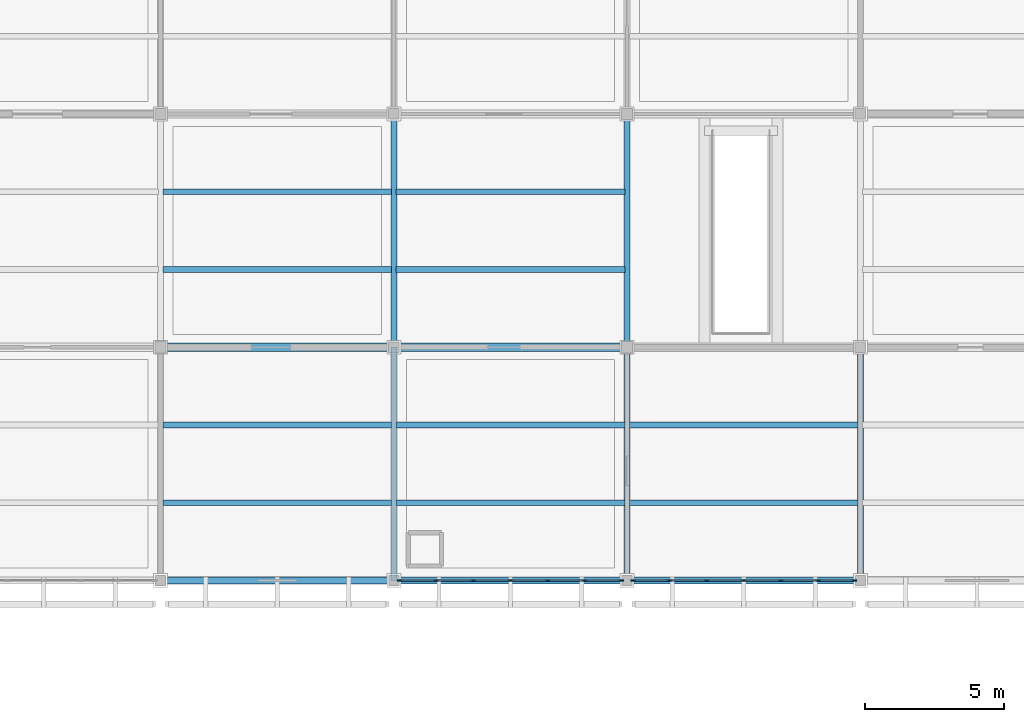
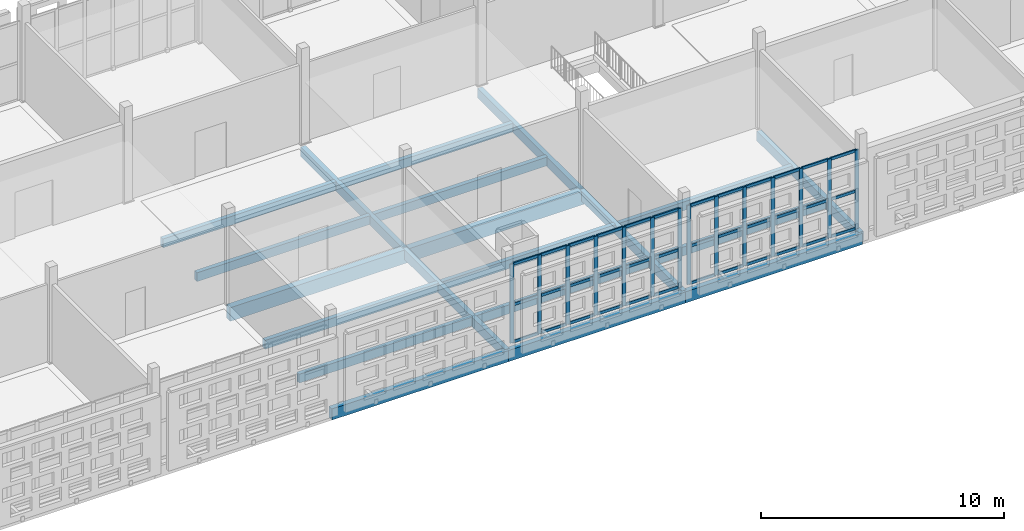
# One storey, part 33 of 203: 50 members, 20 beams, 2 elements without a shape of their own.
"""IFC4 building model written with IfcOpenShell, lengths in metres."""

import ifcopenshell
import ifcopenshell.guid

model = None  # the IFC model being written
_history = None  # IfcOwnerHistory: only IFC2X3 demands one
_inside = {}  # id of a spatial element -> (the spatial element, [elements in it])
_under = {}  # id of a project, library or spatial element -> (it, [spatial elements below it])
_declared = {}  # id of a project -> (the project, [libraries it declares])
_typed = {}  # id of a type object -> (the type object, [elements of that type])
_made_of = {}  # id of a material, layer set ... -> (it, [elements and type objects made of it])


def new_model(schema):
    """Start an empty IFC model of exactly this schema.

    Asked for "IFC4X3", IfcOpenShell would pick the latest addendum, in which some entities
    have other attributes; the version numbers below select the first issue.
    IFC2X3 requires an IfcOwnerHistory on every rooted entity: one is made here for all.
    """
    global model, _history
    if schema == "IFC4X3":
        model = ifcopenshell.file(schema_version=(4, 3, 0, 0))
    else:
        model = ifcopenshell.file(schema=schema)
    _inside.clear()
    _under.clear()
    _declared.clear()
    _typed.clear()
    _made_of.clear()
    _history = None
    if model.schema == "IFC2X3":
        org = make("IfcOrganization", Name="unknown")
        user = make(
            "IfcPersonAndOrganization",
            ThePerson=make("IfcPerson", FamilyName="unknown"),
            TheOrganization=org,
        )
        app = make(
            "IfcApplication",
            ApplicationDeveloper=org,
            Version="unknown",
            ApplicationFullName="unknown",
            ApplicationIdentifier="unknown",
        )
        _history = make(
            "IfcOwnerHistory",
            OwningUser=user,
            OwningApplication=app,
            ChangeAction="ADDED",
            CreationDate=0,
        )
    return model


def make(cls, **values):
    """One entity of the class cls with the attributes given. An attribute that is None is left unset."""
    return model.create_entity(
        cls, **{name: value for name, value in values.items() if value is not None}
    )


def rooted(cls, **values):
    """An entity with a GlobalId (a new one), such as an element, a storey or a relation."""
    return make(cls, GlobalId=ifcopenshell.guid.new(), OwnerHistory=_history, **values)


def si_unit(unit_type, name, prefix=None):
    """IfcSIUnit, for example si_unit("LENGTHUNIT", "METRE", prefix="MILLI")."""
    return make("IfcSIUnit", UnitType=unit_type, Prefix=prefix, Name=name)


def assignment(units):
    """IfcUnitAssignment: the units of a project."""
    return None if units is None else make("IfcUnitAssignment", Units=units)


def point(xyz):
    """IfcCartesianPoint."""
    return None if xyz is None else make("IfcCartesianPoint", Coordinates=xyz)


def direction(xyz):
    """IfcDirection."""
    return None if xyz is None else make("IfcDirection", DirectionRatios=xyz)


def frame(location, z_axis=None, x_axis=None):
    """IfcAxis2Placement3D, a coordinate frame: its origin and axes. An axis left out is left unset."""
    return make(
        "IfcAxis2Placement3D",
        Location=point(location),
        Axis=direction(z_axis),
        RefDirection=direction(x_axis),
    )


def frame_2d(location, x_axis=None):
    """IfcAxis2Placement2D, a coordinate frame in the plane: its origin and x axis."""
    return make(
        "IfcAxis2Placement2D", Location=point(location), RefDirection=direction(x_axis)
    )


def origin():
    """The frame at (0, 0, 0) with its axes left unset."""
    return frame((0.0, 0.0, 0.0))


def origin_2d():
    """The frame at (0, 0) in the plane with its x axis left unset."""
    return frame_2d((0.0, 0.0))


def place(relative_to, where):
    """IfcLocalPlacement: puts the frame where relative to a parent placement (None: the world)."""
    return make(
        "IfcLocalPlacement", PlacementRelTo=relative_to, RelativePlacement=where
    )


def context(
    kind, dimensions, precision=None, world=None, true_north=None, identifier=None
):
    """IfcGeometricRepresentationContext, for example the 3D "Model" context."""
    return make(
        "IfcGeometricRepresentationContext",
        ContextIdentifier=identifier,
        ContextType=kind,
        CoordinateSpaceDimension=dimensions,
        Precision=precision,
        WorldCoordinateSystem=world,
        TrueNorth=true_north,
    )


def subcontext(parent, identifier, kind, view, scale=None):
    """IfcGeometricRepresentationSubContext, for example "Body" below "Model"."""
    return make(
        "IfcGeometricRepresentationSubContext",
        ContextIdentifier=identifier,
        ContextType=kind,
        ParentContext=parent,
        TargetScale=scale,
        TargetView=view,
    )


def project(units=None, contexts=None):
    """IfcProject with its units and contexts."""
    return rooted(
        "IfcProject",
        Name="project",
        RepresentationContexts=contexts,
        UnitsInContext=assignment(units),
    )


def spatial(cls, under=None, at=None, **own):
    """A site, building, storey or space (cls), placed at a placement, below another one or the project."""
    s = rooted(cls, ObjectPlacement=at, **own)
    if under is not None:
        _under.setdefault(under.id(), (under, []))[1].append(s)
    return s


def profile(cls, at=None, kind="AREA", **sizes):
    """A parametric profile (cls). Its sizes go by their IFC names, for example OverallWidth=200.0."""
    return make(cls, ProfileType=kind, Position=at, **sizes)


def rectangle(**sizes):
    """IfcRectangleProfileDef."""
    return profile("IfcRectangleProfileDef", **sizes)


def extrude(swept, where, along, depth):
    """IfcExtrudedAreaSolid: the profile swept, set in the frame where, extruded along a direction by depth."""
    return make(
        "IfcExtrudedAreaSolid",
        SweptArea=swept,
        Position=where,
        ExtrudedDirection=direction(along),
        Depth=depth,
    )


def shape(context_of_items, identifier, shape_type, items):
    """IfcShapeRepresentation: the items that make up one representation, for example the "Body"."""
    return make(
        "IfcShapeRepresentation",
        ContextOfItems=context_of_items,
        RepresentationIdentifier=identifier,
        RepresentationType=shape_type,
        Items=items,
    )


def material(Name=None, Category=None):
    """IfcMaterial."""
    return make("IfcMaterial", Name=Name, Category=Category)


def layer(
    of_material, thickness, ventilated=None, Name=None, Category=None, Priority=None
):
    """IfcMaterialLayer: one layer of a wall or slab, of a material (None: an air gap)."""
    return make(
        "IfcMaterialLayer",
        Material=of_material,
        LayerThickness=thickness,
        IsVentilated=ventilated,
        Name=Name,
        Category=Category,
        Priority=Priority,
    )


def layer_set(layers, Name=None):
    """IfcMaterialLayerSet."""
    return make("IfcMaterialLayerSet", MaterialLayers=layers, LayerSetName=Name)


def material_profile(
    of_material, cross_section, Name=None, Category=None, Priority=None
):
    """IfcMaterialProfile: a cross section and its material."""
    return make(
        "IfcMaterialProfile",
        Name=Name,
        Material=of_material,
        Profile=cross_section,
        Priority=Priority,
        Category=Category,
    )


def profile_set(profiles, Name=None, composite=None):
    """IfcMaterialProfileSet."""
    return make(
        "IfcMaterialProfileSet",
        Name=Name,
        MaterialProfiles=profiles,
        CompositeProfile=composite,
    )


def made_of(thing, what):
    """Note that an element or type object is made of a material, layer set ...; save() writes the relation."""
    if what is not None:
        _made_of.setdefault(what.id(), (what, []))[1].append(thing)
    return thing


def type_object(cls, material=None, **own):
    """A type object (cls), such as IfcWallType, which elements share."""
    return made_of(rooted(cls, **own), material)


def element(
    cls,
    number,
    at=None,
    inside=None,
    cuts=None,
    type_object=None,
    material=None,
    context=None,
    identifier="Body",
    shape_type=None,
    held_by="IfcProductDefinitionShape",
    body=None,
    shapes=None,
    **own,
):
    """One element of the class cls, such as IfcWall. Its Tag is "e" and its number.

    at: its placement. inside: the storey or other place that contains it. cuts: it is an
    opening in that element (IfcRelVoidsElement). A single representation is given by context,
    identifier, shape_type and body (its items); several are given by shapes. held_by: the class
    of the entity that holds the representations. save() writes the other relations.
    """
    e = rooted(cls, Tag="e%d" % number, ObjectPlacement=at, **own)
    if body is not None:
        shapes = [shape(context, identifier, shape_type, body)]
    if shapes is not None:
        e.Representation = make(held_by, Representations=shapes)
    if inside is not None:
        _inside.setdefault(inside.id(), (inside, []))[1].append(e)
    if cuts is not None:
        rooted(
            "IfcRelVoidsElement", RelatingBuildingElement=cuts, RelatedOpeningElement=e
        )
    if type_object is not None:
        _typed.setdefault(type_object.id(), (type_object, []))[1].append(e)
    return made_of(e, material)


def aggregate(whole, parts):
    """IfcRelAggregates: a whole, such as a stair, and the parts it consists of."""
    return rooted("IfcRelAggregates", RelatingObject=whole, RelatedObjects=parts)


def save(model, path):
    """Write the relations noted so far, then the file.

    IfcRelAggregates (storeys below a building ...), IfcRelContainedInSpatialStructure (elements
    in a storey), IfcRelDefinesByType, IfcRelAssociatesMaterial and IfcRelDeclares: one each for
    every whole, place, type object, material and project.
    """
    for whole, parts in _under.values():
        aggregate(whole, parts)
    for where, things in _inside.values():
        rooted(
            "IfcRelContainedInSpatialStructure",
            RelatedElements=things,
            RelatingStructure=where,
        )
    for kind, things in _typed.values():
        rooted("IfcRelDefinesByType", RelatedObjects=things, RelatingType=kind)
    for what, things in _made_of.values():
        rooted("IfcRelAssociatesMaterial", RelatedObjects=things, RelatingMaterial=what)
    for by, libraries in _declared.values():
        rooted("IfcRelDeclares", RelatingContext=by, RelatedDefinitions=libraries)
    model.write(path)


model = new_model("IFC4")

# Units and contexts
model_context = context("Model", 3, precision=1e-05, world=origin(), true_north=direction((0.0, 1.0)))
body_context = subcontext(model_context, "Body", "Model", "MODEL_VIEW")
ifc_project = project(units=[si_unit("LENGTHUNIT", "METRE"), si_unit("AREAUNIT", "SQUARE_METRE"), si_unit("VOLUMEUNIT", "CUBIC_METRE"), si_unit("PLANEANGLEUNIT", "RADIAN"), si_unit("MASSUNIT", "GRAM", prefix="KILO")], contexts=[model_context])

# Site, building, storey
site_placement = place(None, origin())
site = spatial("IfcSite", under=ifc_project, at=site_placement, CompositionType="ELEMENT")
building_placement = place(site_placement, origin())
building = spatial("IfcBuilding", under=site, at=building_placement, Name="Varnapada Polytechnic", CompositionType="ELEMENT")
storey_placement = place(building_placement, frame((0.0, 0.0, 4.800048828125)))
storey = spatial("IfcBuildingStorey", under=building, at=storey_placement, Name="L01", CompositionType="ELEMENT", Elevation=4.800048828125)

# Beams
ifc_material_1 = material(Name="Glulam GL32h", Category="wood")
ifc_material_profile_1 = material_profile(ifc_material_1, rectangle(XDim=0.199951171875, YDim=0.43994140625, at=origin_2d()), Name="GL 200x440")
ifc_profile_set_1 = profile_set([ifc_material_profile_1], Name="Glulam GL32h")
beam_type_1 = type_object("IfcBeamType", Name="Heavy laboratory glulam joist GJ-03 (GL 200x440)", PredefinedType="JOIST", material=ifc_profile_set_1)
for number, where, z_axis, x_axis, name in (
    (1, (92.47998046875, 19.60009765625, -0.469970703125), (1.0, 0.0, 0.0), (0.0, 1.0, 0.0), "L01 floor joist 12/3.1"),
    (2, (92.47998046875, 22.39990234375, -0.469970703125), (1.0, 0.0, 0.0), (0.0, 1.0, 0.0), "L01 floor joist 12/3.2"),
    (3, (92.47998046875, 28.0, -0.469970703125), (1.0, 0.0, 0.0), (0.0, 1.0, 0.0), "L01 floor joist 12/4.1"),
    (4, (92.47998046875, 30.800048828125, -0.469970703125), (1.0, 0.0, 0.0), (0.0, 1.0, 0.0), "L01 floor joist 12/4.2"),
):
    element("IfcBeam", number, at=place(storey_placement, frame(where, z_axis=z_axis, x_axis=x_axis)), inside=storey, type_object=beam_type_1, Name=name, PredefinedType="JOIST", context=body_context, shape_type="SweptSolid", body=[
        extrude(rectangle(XDim=0.199951171875, YDim=0.43994140625, at=origin_2d()), origin(), (0.0, 0.0, 1.0), 8.239990234375),
    ])
for number, where, z_axis, x_axis, name in (
    (5, (100.8798828125, 19.60009765625, -0.469970703125), (1.0, 0.0, 0.0), (0.0, 1.0, 0.0), "L01 floor joist 13/3.1"),
    (6, (100.8798828125, 22.39990234375, -0.469970703125), (1.0, 0.0, 0.0), (0.0, 1.0, 0.0), "L01 floor joist 13/3.2"),
    (7, (100.8798828125, 28.0, -0.469970703125), (1.0, 0.0, 0.0), (0.0, 1.0, 0.0), "L01 floor joist 13/4.1"),
    (8, (100.8798828125, 30.800048828125, -0.469970703125), (1.0, 0.0, 0.0), (0.0, 1.0, 0.0), "L01 floor joist 13/4.2"),
):
    element("IfcBeam", number, at=place(storey_placement, frame(where, z_axis=z_axis, x_axis=x_axis)), inside=storey, type_object=beam_type_1, Name=name, PredefinedType="JOIST", context=body_context, shape_type="SweptSolid", body=[
        extrude(rectangle(XDim=0.199951171875, YDim=0.43994140625, at=origin_2d()), origin(), (0.0, 0.0, 1.0), 8.240234375),
    ])
for number, where, z_axis, x_axis, name in (
    (9, (109.280029296875, 19.60009765625, -0.469970703125), (1.0, 0.0, 0.0), (0.0, 1.0, 0.0), "L01 floor joist 14/3.1"),
    (10, (109.280029296875, 22.39990234375, -0.469970703125), (1.0, 0.0, 0.0), (0.0, 1.0, 0.0), "L01 floor joist 14/3.2"),
):
    element("IfcBeam", number, at=place(storey_placement, frame(where, z_axis=z_axis, x_axis=x_axis)), inside=storey, type_object=beam_type_1, Name=name, PredefinedType="JOIST", context=body_context, shape_type="SweptSolid", body=[
        extrude(rectangle(XDim=0.199951171875, YDim=0.43994140625, at=origin_2d()), origin(), (0.0, 0.0, 1.0), 8.239990234375),
    ])

# Curtain wall, members
ifc_material_2 = material(Name="Double low-E laminated glass", Category="glass")
ifc_layer = layer(ifc_material_2, 0.179931640625)
ifc_layer_set = layer_set([ifc_layer], Name="Double low-E laminated glass")
curtain_wall_type = type_object("IfcCurtainWallType", Name="Curtain Wall CW-04", PredefinedType="NOTDEFINED", material=ifc_layer_set)
curtain_wall_1_placement = place(storey_placement, origin())
curtain_wall_1 = element("IfcCurtainWall", 11, at=curtain_wall_1_placement, inside=storey, type_object=curtain_wall_type, Name="L01 unitised curtain wall CW-04 (78)", PredefinedType="NOTDEFINED")
ifc_material_3 = material(Name="Anodised aluminium", Category="aluminium")
ifc_material_profile_2 = material_profile(ifc_material_3, rectangle(XDim=0.06494140625, YDim=0.179931640625, at=origin_2d()), Name="ALU M65x180")
ifc_profile_set_2 = profile_set([ifc_material_profile_2], Name="Anodised aluminium")
member_type_1 = type_object("IfcMemberType", Name="Mullion M-02", PredefinedType="MULLION", material=ifc_profile_set_2)
member_1_placement = place(storey_placement, frame((108.987548828125, 16.800048828125, 0.0), z_axis=(0.0, 0.0, 1.0), x_axis=(0.0, -1.0, 0.0)))
member_1 = element("IfcMember", 12, at=member_1_placement, type_object=member_type_1, Name="CW-04 mullion 1", PredefinedType="MULLION", context=body_context, shape_type="SweptSolid", body=[
    extrude(rectangle(XDim=0.06494140625, YDim=0.179931640625, at=origin_2d()), origin(), (0.0, 0.0, 1.0), 3.9599609375),
])
member_2_placement = place(storey_placement, frame((107.679931640625, 16.800048828125, 0.0), z_axis=(0.0, 0.0, 1.0), x_axis=(0.0, -1.0, 0.0)))
member_2 = element("IfcMember", 13, at=member_2_placement, type_object=member_type_1, Name="CW-04 mullion 2", PredefinedType="MULLION", context=body_context, shape_type="SweptSolid", body=[
    extrude(rectangle(XDim=0.06494140625, YDim=0.179931640625, at=origin_2d()), origin(), (0.0, 0.0, 1.0), 3.9599609375),
])
member_3_placement = place(storey_placement, frame((106.340087890625, 16.800048828125, 0.0), z_axis=(0.0, 0.0, 1.0), x_axis=(0.0, -1.0, 0.0)))
member_3 = element("IfcMember", 14, at=member_3_placement, type_object=member_type_1, Name="CW-04 mullion 3", PredefinedType="MULLION", context=body_context, shape_type="SweptSolid", body=[
    extrude(rectangle(XDim=0.06494140625, YDim=0.179931640625, at=origin_2d()), origin(), (0.0, 0.0, 1.0), 3.9599609375),
])
member_4_placement = place(storey_placement, frame((105.0, 16.800048828125, 0.0), z_axis=(0.0, 0.0, 1.0), x_axis=(0.0, -1.0, 0.0)))
member_4 = element("IfcMember", 15, at=member_4_placement, type_object=member_type_1, Name="CW-04 mullion 4", PredefinedType="MULLION", context=body_context, shape_type="SweptSolid", body=[
    extrude(rectangle(XDim=0.06494140625, YDim=0.179931640625, at=origin_2d()), origin(), (0.0, 0.0, 1.0), 3.9599609375),
])
member_5_placement = place(storey_placement, frame((103.659912109375, 16.800048828125, 0.0), z_axis=(0.0, 0.0, 1.0), x_axis=(0.0, -1.0, 0.0)))
member_5 = element("IfcMember", 16, at=member_5_placement, type_object=member_type_1, Name="CW-04 mullion 5", PredefinedType="MULLION", context=body_context, shape_type="SweptSolid", body=[
    extrude(rectangle(XDim=0.06494140625, YDim=0.179931640625, at=origin_2d()), origin(), (0.0, 0.0, 1.0), 3.9599609375),
])
member_6_placement = place(storey_placement, frame((102.320068359375, 16.800048828125, 0.0), z_axis=(0.0, 0.0, 1.0), x_axis=(0.0, -1.0, 0.0)))
member_6 = element("IfcMember", 17, at=member_6_placement, type_object=member_type_1, Name="CW-04 mullion 6", PredefinedType="MULLION", context=body_context, shape_type="SweptSolid", body=[
    extrude(rectangle(XDim=0.06494140625, YDim=0.179931640625, at=origin_2d()), origin(), (0.0, 0.0, 1.0), 3.9599609375),
])
member_7_placement = place(storey_placement, frame((101.012451171875, 16.800048828125, 0.0), z_axis=(0.0, 0.0, 1.0), x_axis=(0.0, -1.0, 0.0)))
member_7 = element("IfcMember", 18, at=member_7_placement, type_object=member_type_1, Name="CW-04 mullion 7", PredefinedType="MULLION", context=body_context, shape_type="SweptSolid", body=[
    extrude(rectangle(XDim=0.06494140625, YDim=0.179931640625, at=origin_2d()), origin(), (0.0, 0.0, 1.0), 3.9599609375),
])

curtain_wall_2_placement = place(storey_placement, origin())
curtain_wall_2 = element("IfcCurtainWall", 19, at=curtain_wall_2_placement, inside=storey, type_object=curtain_wall_type, Name="L01 unitised curtain wall CW-04 (83)", PredefinedType="NOTDEFINED")
member_8_placement = place(storey_placement, frame((117.387451171875, 16.800048828125, 0.0), z_axis=(0.0, 0.0, 1.0), x_axis=(0.0, -1.0, 0.0)))
member_8 = element("IfcMember", 20, at=member_8_placement, type_object=member_type_1, Name="CW-04 mullion 1", PredefinedType="MULLION", context=body_context, shape_type="SweptSolid", body=[
    extrude(rectangle(XDim=0.06494140625, YDim=0.179931640625, at=origin_2d()), origin(), (0.0, 0.0, 1.0), 3.9599609375),
])
member_9_placement = place(storey_placement, frame((116.080078125, 16.800048828125, 0.0), z_axis=(0.0, 0.0, 1.0), x_axis=(0.0, -1.0, 0.0)))
member_9 = element("IfcMember", 21, at=member_9_placement, type_object=member_type_1, Name="CW-04 mullion 2", PredefinedType="MULLION", context=body_context, shape_type="SweptSolid", body=[
    extrude(rectangle(XDim=0.06494140625, YDim=0.179931640625, at=origin_2d()), origin(), (0.0, 0.0, 1.0), 3.9599609375),
])
member_10_placement = place(storey_placement, frame((114.739990234375, 16.800048828125, 0.0), z_axis=(0.0, 0.0, 1.0), x_axis=(0.0, -1.0, 0.0)))
member_10 = element("IfcMember", 22, at=member_10_placement, type_object=member_type_1, Name="CW-04 mullion 3", PredefinedType="MULLION", context=body_context, shape_type="SweptSolid", body=[
    extrude(rectangle(XDim=0.06494140625, YDim=0.179931640625, at=origin_2d()), origin(), (0.0, 0.0, 1.0), 3.9599609375),
])
member_11_placement = place(storey_placement, frame((113.39990234375, 16.800048828125, 0.0), z_axis=(0.0, 0.0, 1.0), x_axis=(0.0, -1.0, 0.0)))
member_11 = element("IfcMember", 23, at=member_11_placement, type_object=member_type_1, Name="CW-04 mullion 4", PredefinedType="MULLION", context=body_context, shape_type="SweptSolid", body=[
    extrude(rectangle(XDim=0.06494140625, YDim=0.179931640625, at=origin_2d()), origin(), (0.0, 0.0, 1.0), 3.9599609375),
])
member_12_placement = place(storey_placement, frame((112.06005859375, 16.800048828125, 0.0), z_axis=(0.0, 0.0, 1.0), x_axis=(0.0, -1.0, 0.0)))
member_12 = element("IfcMember", 24, at=member_12_placement, type_object=member_type_1, Name="CW-04 mullion 5", PredefinedType="MULLION", context=body_context, shape_type="SweptSolid", body=[
    extrude(rectangle(XDim=0.06494140625, YDim=0.179931640625, at=origin_2d()), origin(), (0.0, 0.0, 1.0), 3.9599609375),
])
member_13_placement = place(storey_placement, frame((110.719970703125, 16.800048828125, 0.0), z_axis=(0.0, 0.0, 1.0), x_axis=(0.0, -1.0, 0.0)))
member_13 = element("IfcMember", 25, at=member_13_placement, type_object=member_type_1, Name="CW-04 mullion 6", PredefinedType="MULLION", context=body_context, shape_type="SweptSolid", body=[
    extrude(rectangle(XDim=0.06494140625, YDim=0.179931640625, at=origin_2d()), origin(), (0.0, 0.0, 1.0), 3.9599609375),
])
member_14_placement = place(storey_placement, frame((109.41259765625, 16.800048828125, 0.0), z_axis=(0.0, 0.0, 1.0), x_axis=(0.0, -1.0, 0.0)))
member_14 = element("IfcMember", 26, at=member_14_placement, type_object=member_type_1, Name="CW-04 mullion 7", PredefinedType="MULLION", context=body_context, shape_type="SweptSolid", body=[
    extrude(rectangle(XDim=0.06494140625, YDim=0.179931640625, at=origin_2d()), origin(), (0.0, 0.0, 1.0), 3.9599609375),
])

# Beams
ifc_material_profile_3 = material_profile(ifc_material_1, rectangle(XDim=0.239990234375, YDim=0.56005859375, at=origin_2d()), Name="GL 240x560")
ifc_profile_set_3 = profile_set([ifc_material_profile_3], Name="Glulam GL32h")
beam_type_2 = type_object("IfcBeamType", Name="Perimeter glulam spandrel beam SP-02 (GL 240x560)", PredefinedType="SPANDREL", material=ifc_profile_set_3)
beam_1_placement = place(storey_placement, frame((92.39990234375, 16.800048828125, -0.530029296875), z_axis=(1.0, 0.0, 0.0), x_axis=(0.0, 1.0, 0.0)))
element("IfcBeam", 27, at=beam_1_placement, inside=storey, type_object=beam_type_2, Name="L01 beam X 12-13 at Y3", PredefinedType="SPANDREL", context=body_context, shape_type="SweptSolid", body=[
    extrude(rectangle(XDim=0.239990234375, YDim=0.56005859375, at=origin_2d()), origin(), (0.0, 0.0, 1.0), 8.400146484375),
])
beam_2_placement = place(storey_placement, frame((100.800048828125, 16.800048828125, -0.530029296875), z_axis=(1.0, 0.0, 0.0), x_axis=(0.0, 1.0, 0.0)))
element("IfcBeam", 28, at=beam_2_placement, inside=storey, type_object=beam_type_2, Name="L01 beam X 13-14 at Y3", PredefinedType="SPANDREL", context=body_context, shape_type="SweptSolid", body=[
    extrude(rectangle(XDim=0.239990234375, YDim=0.56005859375, at=origin_2d()), origin(), (0.0, 0.0, 1.0), 8.39990234375),
])
beam_3_placement = place(storey_placement, frame((109.199951171875, 16.800048828125, -0.530029296875), z_axis=(1.0, 0.0, 0.0), x_axis=(0.0, 1.0, 0.0)))
element("IfcBeam", 29, at=beam_3_placement, inside=storey, type_object=beam_type_2, Name="L01 beam X 14-15 at Y3", PredefinedType="SPANDREL", context=body_context, shape_type="SweptSolid", body=[
    extrude(rectangle(XDim=0.239990234375, YDim=0.56005859375, at=origin_2d()), origin(), (0.0, 0.0, 1.0), 8.400146484375),
])

# Member
ifc_material_profile_4 = material_profile(ifc_material_3, rectangle(XDim=0.06494140625, YDim=0.139892578125, at=origin_2d()), Name="ALU T65x140")
ifc_profile_set_4 = profile_set([ifc_material_profile_4], Name="Anodised aluminium")
member_type_2 = type_object("IfcMemberType", Name="Transom T-02", PredefinedType="USERDEFINED", material=ifc_profile_set_4)
member_15_placement = place(storey_placement, frame((108.955078125, 16.800048828125, 0.032470703125), z_axis=(-1.0, 0.0, 0.0), x_axis=(0.0, -1.0, 0.0)))
member_15 = element("IfcMember", 30, at=member_15_placement, type_object=member_type_2, Name="CW-04 transom 1.1", ObjectType="TRANSOM", PredefinedType="USERDEFINED", context=body_context, shape_type="SweptSolid", body=[
    extrude(rectangle(XDim=0.06494140625, YDim=0.139892578125, at=origin_2d()), origin(), (0.0, 0.0, 1.0), 1.24267578125),
])

member_16_placement = place(storey_placement, frame((108.955078125, 16.800048828125, 1.900634765625), z_axis=(-1.0, 0.0, 0.0), x_axis=(0.0, -1.0, 0.0)))
member_16 = element("IfcMember", 31, at=member_16_placement, type_object=member_type_2, Name="CW-04 transom 1.2", ObjectType="TRANSOM", PredefinedType="USERDEFINED", context=body_context, shape_type="SweptSolid", body=[
    extrude(rectangle(XDim=0.06494140625, YDim=0.139892578125, at=origin_2d()), origin(), (0.0, 0.0, 1.0), 1.24267578125),
])

member_17_placement = place(storey_placement, frame((108.955078125, 16.800048828125, 3.927490234375), z_axis=(-1.0, 0.0, 0.0), x_axis=(0.0, -1.0, 0.0)))
member_17 = element("IfcMember", 32, at=member_17_placement, type_object=member_type_2, Name="CW-04 transom 1.3", ObjectType="TRANSOM", PredefinedType="USERDEFINED", context=body_context, shape_type="SweptSolid", body=[
    extrude(rectangle(XDim=0.06494140625, YDim=0.139892578125, at=origin_2d()), origin(), (0.0, 0.0, 1.0), 1.24267578125),
])

member_18_placement = place(storey_placement, frame((107.6474609375, 16.800048828125, 0.032470703125), z_axis=(-1.0, 0.0, 0.0), x_axis=(0.0, -1.0, 0.0)))
member_18 = element("IfcMember", 33, at=member_18_placement, type_object=member_type_2, Name="CW-04 transom 2.1", ObjectType="TRANSOM", PredefinedType="USERDEFINED", context=body_context, shape_type="SweptSolid", body=[
    extrude(rectangle(XDim=0.06494140625, YDim=0.139892578125, at=origin_2d()), origin(), (0.0, 0.0, 1.0), 1.27490234375),
])

member_19_placement = place(storey_placement, frame((107.6474609375, 16.800048828125, 1.900634765625), z_axis=(-1.0, 0.0, 0.0), x_axis=(0.0, -1.0, 0.0)))
member_19 = element("IfcMember", 34, at=member_19_placement, type_object=member_type_2, Name="CW-04 transom 2.2", ObjectType="TRANSOM", PredefinedType="USERDEFINED", context=body_context, shape_type="SweptSolid", body=[
    extrude(rectangle(XDim=0.06494140625, YDim=0.139892578125, at=origin_2d()), origin(), (0.0, 0.0, 1.0), 1.27490234375),
])

member_20_placement = place(storey_placement, frame((107.6474609375, 16.800048828125, 3.927490234375), z_axis=(-1.0, 0.0, 0.0), x_axis=(0.0, -1.0, 0.0)))
member_20 = element("IfcMember", 35, at=member_20_placement, type_object=member_type_2, Name="CW-04 transom 2.3", ObjectType="TRANSOM", PredefinedType="USERDEFINED", context=body_context, shape_type="SweptSolid", body=[
    extrude(rectangle(XDim=0.06494140625, YDim=0.139892578125, at=origin_2d()), origin(), (0.0, 0.0, 1.0), 1.27490234375),
])

member_21_placement = place(storey_placement, frame((106.3076171875, 16.800048828125, 0.032470703125), z_axis=(-1.0, 0.0, 0.0), x_axis=(0.0, -1.0, 0.0)))
member_21 = element("IfcMember", 36, at=member_21_placement, type_object=member_type_2, Name="CW-04 transom 3.1", ObjectType="TRANSOM", PredefinedType="USERDEFINED", context=body_context, shape_type="SweptSolid", body=[
    extrude(rectangle(XDim=0.06494140625, YDim=0.139892578125, at=origin_2d()), origin(), (0.0, 0.0, 1.0), 1.275146484375),
])

member_22_placement = place(storey_placement, frame((106.3076171875, 16.800048828125, 1.900634765625), z_axis=(-1.0, 0.0, 0.0), x_axis=(0.0, -1.0, 0.0)))
member_22 = element("IfcMember", 37, at=member_22_placement, type_object=member_type_2, Name="CW-04 transom 3.2", ObjectType="TRANSOM", PredefinedType="USERDEFINED", context=body_context, shape_type="SweptSolid", body=[
    extrude(rectangle(XDim=0.06494140625, YDim=0.139892578125, at=origin_2d()), origin(), (0.0, 0.0, 1.0), 1.275146484375),
])

member_23_placement = place(storey_placement, frame((106.3076171875, 16.800048828125, 3.927490234375), z_axis=(-1.0, 0.0, 0.0), x_axis=(0.0, -1.0, 0.0)))
member_23 = element("IfcMember", 38, at=member_23_placement, type_object=member_type_2, Name="CW-04 transom 3.3", ObjectType="TRANSOM", PredefinedType="USERDEFINED", context=body_context, shape_type="SweptSolid", body=[
    extrude(rectangle(XDim=0.06494140625, YDim=0.139892578125, at=origin_2d()), origin(), (0.0, 0.0, 1.0), 1.275146484375),
])

member_24_placement = place(storey_placement, frame((104.967529296875, 16.800048828125, 0.032470703125), z_axis=(-1.0, 0.0, 0.0), x_axis=(0.0, -1.0, 0.0)))
member_24 = element("IfcMember", 39, at=member_24_placement, type_object=member_type_2, Name="CW-04 transom 4.1", ObjectType="TRANSOM", PredefinedType="USERDEFINED", context=body_context, shape_type="SweptSolid", body=[
    extrude(rectangle(XDim=0.06494140625, YDim=0.139892578125, at=origin_2d()), origin(), (0.0, 0.0, 1.0), 1.275146484375),
])

member_25_placement = place(storey_placement, frame((104.967529296875, 16.800048828125, 1.900634765625), z_axis=(-1.0, 0.0, 0.0), x_axis=(0.0, -1.0, 0.0)))
member_25 = element("IfcMember", 40, at=member_25_placement, type_object=member_type_2, Name="CW-04 transom 4.2", ObjectType="TRANSOM", PredefinedType="USERDEFINED", context=body_context, shape_type="SweptSolid", body=[
    extrude(rectangle(XDim=0.06494140625, YDim=0.139892578125, at=origin_2d()), origin(), (0.0, 0.0, 1.0), 1.275146484375),
])

member_26_placement = place(storey_placement, frame((104.967529296875, 16.800048828125, 3.927490234375), z_axis=(-1.0, 0.0, 0.0), x_axis=(0.0, -1.0, 0.0)))
member_26 = element("IfcMember", 41, at=member_26_placement, type_object=member_type_2, Name="CW-04 transom 4.3", ObjectType="TRANSOM", PredefinedType="USERDEFINED", context=body_context, shape_type="SweptSolid", body=[
    extrude(rectangle(XDim=0.06494140625, YDim=0.139892578125, at=origin_2d()), origin(), (0.0, 0.0, 1.0), 1.275146484375),
])

member_27_placement = place(storey_placement, frame((103.62744140625, 16.800048828125, 0.032470703125), z_axis=(-1.0, 0.0, 0.0), x_axis=(0.0, -1.0, 0.0)))
member_27 = element("IfcMember", 42, at=member_27_placement, type_object=member_type_2, Name="CW-04 transom 5.1", ObjectType="TRANSOM", PredefinedType="USERDEFINED", context=body_context, shape_type="SweptSolid", body=[
    extrude(rectangle(XDim=0.06494140625, YDim=0.139892578125, at=origin_2d()), origin(), (0.0, 0.0, 1.0), 1.27490234375),
])

member_28_placement = place(storey_placement, frame((103.62744140625, 16.800048828125, 1.900634765625), z_axis=(-1.0, 0.0, 0.0), x_axis=(0.0, -1.0, 0.0)))
member_28 = element("IfcMember", 43, at=member_28_placement, type_object=member_type_2, Name="CW-04 transom 5.2", ObjectType="TRANSOM", PredefinedType="USERDEFINED", context=body_context, shape_type="SweptSolid", body=[
    extrude(rectangle(XDim=0.06494140625, YDim=0.139892578125, at=origin_2d()), origin(), (0.0, 0.0, 1.0), 1.27490234375),
])

member_29_placement = place(storey_placement, frame((103.62744140625, 16.800048828125, 3.927490234375), z_axis=(-1.0, 0.0, 0.0), x_axis=(0.0, -1.0, 0.0)))
member_29 = element("IfcMember", 44, at=member_29_placement, type_object=member_type_2, Name="CW-04 transom 5.3", ObjectType="TRANSOM", PredefinedType="USERDEFINED", context=body_context, shape_type="SweptSolid", body=[
    extrude(rectangle(XDim=0.06494140625, YDim=0.139892578125, at=origin_2d()), origin(), (0.0, 0.0, 1.0), 1.27490234375),
])

member_30_placement = place(storey_placement, frame((102.28759765625, 16.800048828125, 0.032470703125), z_axis=(-1.0, 0.0, 0.0), x_axis=(0.0, -1.0, 0.0)))
member_30 = element("IfcMember", 45, at=member_30_placement, type_object=member_type_2, Name="CW-04 transom 6.1", ObjectType="TRANSOM", PredefinedType="USERDEFINED", context=body_context, shape_type="SweptSolid", body=[
    extrude(rectangle(XDim=0.06494140625, YDim=0.139892578125, at=origin_2d()), origin(), (0.0, 0.0, 1.0), 1.24267578125),
])

member_31_placement = place(storey_placement, frame((102.28759765625, 16.800048828125, 1.900634765625), z_axis=(-1.0, 0.0, 0.0), x_axis=(0.0, -1.0, 0.0)))
member_31 = element("IfcMember", 46, at=member_31_placement, type_object=member_type_2, Name="CW-04 transom 6.2", ObjectType="TRANSOM", PredefinedType="USERDEFINED", context=body_context, shape_type="SweptSolid", body=[
    extrude(rectangle(XDim=0.06494140625, YDim=0.139892578125, at=origin_2d()), origin(), (0.0, 0.0, 1.0), 1.24267578125),
])

member_32_placement = place(storey_placement, frame((102.28759765625, 16.800048828125, 3.927490234375), z_axis=(-1.0, 0.0, 0.0), x_axis=(0.0, -1.0, 0.0)))
member_32 = element("IfcMember", 47, at=member_32_placement, type_object=member_type_2, Name="CW-04 transom 6.3", ObjectType="TRANSOM", PredefinedType="USERDEFINED", context=body_context, shape_type="SweptSolid", body=[
    extrude(rectangle(XDim=0.06494140625, YDim=0.139892578125, at=origin_2d()), origin(), (0.0, 0.0, 1.0), 1.24267578125),
])

aggregate(curtain_wall_1, [member_1, member_2, member_3, member_4, member_5, member_6, member_7, member_15, member_16, member_17, member_18, member_19, member_20, member_21, member_22, member_23, member_24, member_25, member_26, member_27, member_28, member_29, member_30, member_31, member_32])

member_33_placement = place(storey_placement, frame((117.35498046875, 16.800048828125, 0.032470703125), z_axis=(-1.0, 0.0, 0.0), x_axis=(0.0, -1.0, 0.0)))
member_33 = element("IfcMember", 48, at=member_33_placement, type_object=member_type_2, Name="CW-04 transom 1.1", ObjectType="TRANSOM", PredefinedType="USERDEFINED", context=body_context, shape_type="SweptSolid", body=[
    extrude(rectangle(XDim=0.06494140625, YDim=0.139892578125, at=origin_2d()), origin(), (0.0, 0.0, 1.0), 1.242431640625),
])

member_34_placement = place(storey_placement, frame((117.35498046875, 16.800048828125, 1.900634765625), z_axis=(-1.0, 0.0, 0.0), x_axis=(0.0, -1.0, 0.0)))
member_34 = element("IfcMember", 49, at=member_34_placement, type_object=member_type_2, Name="CW-04 transom 1.2", ObjectType="TRANSOM", PredefinedType="USERDEFINED", context=body_context, shape_type="SweptSolid", body=[
    extrude(rectangle(XDim=0.06494140625, YDim=0.139892578125, at=origin_2d()), origin(), (0.0, 0.0, 1.0), 1.242431640625),
])

member_35_placement = place(storey_placement, frame((117.35498046875, 16.800048828125, 3.927490234375), z_axis=(-1.0, 0.0, 0.0), x_axis=(0.0, -1.0, 0.0)))
member_35 = element("IfcMember", 50, at=member_35_placement, type_object=member_type_2, Name="CW-04 transom 1.3", ObjectType="TRANSOM", PredefinedType="USERDEFINED", context=body_context, shape_type="SweptSolid", body=[
    extrude(rectangle(XDim=0.06494140625, YDim=0.139892578125, at=origin_2d()), origin(), (0.0, 0.0, 1.0), 1.242431640625),
])

member_36_placement = place(storey_placement, frame((116.047607421875, 16.800048828125, 0.032470703125), z_axis=(-1.0, 0.0, 0.0), x_axis=(0.0, -1.0, 0.0)))
member_36 = element("IfcMember", 51, at=member_36_placement, type_object=member_type_2, Name="CW-04 transom 2.1", ObjectType="TRANSOM", PredefinedType="USERDEFINED", context=body_context, shape_type="SweptSolid", body=[
    extrude(rectangle(XDim=0.06494140625, YDim=0.139892578125, at=origin_2d()), origin(), (0.0, 0.0, 1.0), 1.275146484375),
])

member_37_placement = place(storey_placement, frame((116.047607421875, 16.800048828125, 1.900634765625), z_axis=(-1.0, 0.0, 0.0), x_axis=(0.0, -1.0, 0.0)))
member_37 = element("IfcMember", 52, at=member_37_placement, type_object=member_type_2, Name="CW-04 transom 2.2", ObjectType="TRANSOM", PredefinedType="USERDEFINED", context=body_context, shape_type="SweptSolid", body=[
    extrude(rectangle(XDim=0.06494140625, YDim=0.139892578125, at=origin_2d()), origin(), (0.0, 0.0, 1.0), 1.275146484375),
])

member_38_placement = place(storey_placement, frame((116.047607421875, 16.800048828125, 3.927490234375), z_axis=(-1.0, 0.0, 0.0), x_axis=(0.0, -1.0, 0.0)))
member_38 = element("IfcMember", 53, at=member_38_placement, type_object=member_type_2, Name="CW-04 transom 2.3", ObjectType="TRANSOM", PredefinedType="USERDEFINED", context=body_context, shape_type="SweptSolid", body=[
    extrude(rectangle(XDim=0.06494140625, YDim=0.139892578125, at=origin_2d()), origin(), (0.0, 0.0, 1.0), 1.275146484375),
])

member_39_placement = place(storey_placement, frame((114.70751953125, 16.800048828125, 0.032470703125), z_axis=(-1.0, 0.0, 0.0), x_axis=(0.0, -1.0, 0.0)))
member_39 = element("IfcMember", 54, at=member_39_placement, type_object=member_type_2, Name="CW-04 transom 3.1", ObjectType="TRANSOM", PredefinedType="USERDEFINED", context=body_context, shape_type="SweptSolid", body=[
    extrude(rectangle(XDim=0.06494140625, YDim=0.139892578125, at=origin_2d()), origin(), (0.0, 0.0, 1.0), 1.27490234375),
])

member_40_placement = place(storey_placement, frame((114.70751953125, 16.800048828125, 1.900634765625), z_axis=(-1.0, 0.0, 0.0), x_axis=(0.0, -1.0, 0.0)))
member_40 = element("IfcMember", 55, at=member_40_placement, type_object=member_type_2, Name="CW-04 transom 3.2", ObjectType="TRANSOM", PredefinedType="USERDEFINED", context=body_context, shape_type="SweptSolid", body=[
    extrude(rectangle(XDim=0.06494140625, YDim=0.139892578125, at=origin_2d()), origin(), (0.0, 0.0, 1.0), 1.27490234375),
])

member_41_placement = place(storey_placement, frame((114.70751953125, 16.800048828125, 3.927490234375), z_axis=(-1.0, 0.0, 0.0), x_axis=(0.0, -1.0, 0.0)))
member_41 = element("IfcMember", 56, at=member_41_placement, type_object=member_type_2, Name="CW-04 transom 3.3", ObjectType="TRANSOM", PredefinedType="USERDEFINED", context=body_context, shape_type="SweptSolid", body=[
    extrude(rectangle(XDim=0.06494140625, YDim=0.139892578125, at=origin_2d()), origin(), (0.0, 0.0, 1.0), 1.27490234375),
])

member_42_placement = place(storey_placement, frame((113.367431640625, 16.800048828125, 0.032470703125), z_axis=(-1.0, 0.0, 0.0), x_axis=(0.0, -1.0, 0.0)))
member_42 = element("IfcMember", 57, at=member_42_placement, type_object=member_type_2, Name="CW-04 transom 4.1", ObjectType="TRANSOM", PredefinedType="USERDEFINED", context=body_context, shape_type="SweptSolid", body=[
    extrude(rectangle(XDim=0.06494140625, YDim=0.139892578125, at=origin_2d()), origin(), (0.0, 0.0, 1.0), 1.27490234375),
])

member_43_placement = place(storey_placement, frame((113.367431640625, 16.800048828125, 1.900634765625), z_axis=(-1.0, 0.0, 0.0), x_axis=(0.0, -1.0, 0.0)))
member_43 = element("IfcMember", 58, at=member_43_placement, type_object=member_type_2, Name="CW-04 transom 4.2", ObjectType="TRANSOM", PredefinedType="USERDEFINED", context=body_context, shape_type="SweptSolid", body=[
    extrude(rectangle(XDim=0.06494140625, YDim=0.139892578125, at=origin_2d()), origin(), (0.0, 0.0, 1.0), 1.27490234375),
])

member_44_placement = place(storey_placement, frame((113.367431640625, 16.800048828125, 3.927490234375), z_axis=(-1.0, 0.0, 0.0), x_axis=(0.0, -1.0, 0.0)))
member_44 = element("IfcMember", 59, at=member_44_placement, type_object=member_type_2, Name="CW-04 transom 4.3", ObjectType="TRANSOM", PredefinedType="USERDEFINED", context=body_context, shape_type="SweptSolid", body=[
    extrude(rectangle(XDim=0.06494140625, YDim=0.139892578125, at=origin_2d()), origin(), (0.0, 0.0, 1.0), 1.27490234375),
])

member_45_placement = place(storey_placement, frame((112.027587890625, 16.800048828125, 0.032470703125), z_axis=(-1.0, 0.0, 0.0), x_axis=(0.0, -1.0, 0.0)))
member_45 = element("IfcMember", 60, at=member_45_placement, type_object=member_type_2, Name="CW-04 transom 5.1", ObjectType="TRANSOM", PredefinedType="USERDEFINED", context=body_context, shape_type="SweptSolid", body=[
    extrude(rectangle(XDim=0.06494140625, YDim=0.139892578125, at=origin_2d()), origin(), (0.0, 0.0, 1.0), 1.275146484375),
])

member_46_placement = place(storey_placement, frame((112.027587890625, 16.800048828125, 1.900634765625), z_axis=(-1.0, 0.0, 0.0), x_axis=(0.0, -1.0, 0.0)))
member_46 = element("IfcMember", 61, at=member_46_placement, type_object=member_type_2, Name="CW-04 transom 5.2", ObjectType="TRANSOM", PredefinedType="USERDEFINED", context=body_context, shape_type="SweptSolid", body=[
    extrude(rectangle(XDim=0.06494140625, YDim=0.139892578125, at=origin_2d()), origin(), (0.0, 0.0, 1.0), 1.275146484375),
])

member_47_placement = place(storey_placement, frame((112.027587890625, 16.800048828125, 3.927490234375), z_axis=(-1.0, 0.0, 0.0), x_axis=(0.0, -1.0, 0.0)))
member_47 = element("IfcMember", 62, at=member_47_placement, type_object=member_type_2, Name="CW-04 transom 5.3", ObjectType="TRANSOM", PredefinedType="USERDEFINED", context=body_context, shape_type="SweptSolid", body=[
    extrude(rectangle(XDim=0.06494140625, YDim=0.139892578125, at=origin_2d()), origin(), (0.0, 0.0, 1.0), 1.275146484375),
])

member_48_placement = place(storey_placement, frame((110.6875, 16.800048828125, 0.032470703125), z_axis=(-1.0, 0.0, 0.0), x_axis=(0.0, -1.0, 0.0)))
member_48 = element("IfcMember", 63, at=member_48_placement, type_object=member_type_2, Name="CW-04 transom 6.1", ObjectType="TRANSOM", PredefinedType="USERDEFINED", context=body_context, shape_type="SweptSolid", body=[
    extrude(rectangle(XDim=0.06494140625, YDim=0.139892578125, at=origin_2d()), origin(), (0.0, 0.0, 1.0), 1.242431640625),
])

member_49_placement = place(storey_placement, frame((110.6875, 16.800048828125, 1.900634765625), z_axis=(-1.0, 0.0, 0.0), x_axis=(0.0, -1.0, 0.0)))
member_49 = element("IfcMember", 64, at=member_49_placement, type_object=member_type_2, Name="CW-04 transom 6.2", ObjectType="TRANSOM", PredefinedType="USERDEFINED", context=body_context, shape_type="SweptSolid", body=[
    extrude(rectangle(XDim=0.06494140625, YDim=0.139892578125, at=origin_2d()), origin(), (0.0, 0.0, 1.0), 1.242431640625),
])

member_50_placement = place(storey_placement, frame((110.6875, 16.800048828125, 3.927490234375), z_axis=(-1.0, 0.0, 0.0), x_axis=(0.0, -1.0, 0.0)))
member_50 = element("IfcMember", 65, at=member_50_placement, type_object=member_type_2, Name="CW-04 transom 6.3", ObjectType="TRANSOM", PredefinedType="USERDEFINED", context=body_context, shape_type="SweptSolid", body=[
    extrude(rectangle(XDim=0.06494140625, YDim=0.139892578125, at=origin_2d()), origin(), (0.0, 0.0, 1.0), 1.242431640625),
])

aggregate(curtain_wall_2, [member_8, member_9, member_10, member_11, member_12, member_13, member_14, member_33, member_34, member_35, member_36, member_37, member_38, member_39, member_40, member_41, member_42, member_43, member_44, member_45, member_46, member_47, member_48, member_49, member_50])

# Beams
ifc_material_profile_5 = material_profile(ifc_material_1, rectangle(XDim=0.219970703125, YDim=0.47998046875, at=origin_2d()), Name="GL 220x480")
ifc_profile_set_5 = profile_set([ifc_material_profile_5], Name="Glulam GL32h")
beam_type_3 = type_object("IfcBeamType", Name="Upper floor glulam tie beam GB-11 (GL 220x480)", PredefinedType="BEAM", material=ifc_profile_set_5)
beam_4_placement = place(storey_placement, frame((100.800048828125, 16.800048828125, -0.489990234375), z_axis=(0.0, 1.0, 0.0), x_axis=(-1.0, 0.0, 0.0)))
element("IfcBeam", 66, at=beam_4_placement, inside=storey, type_object=beam_type_3, Name="L01 beam Y 3-4 at X13", PredefinedType="BEAM", context=body_context, shape_type="SweptSolid", body=[
    extrude(rectangle(XDim=0.219970703125, YDim=0.47998046875, at=origin_2d()), origin(), (0.0, 0.0, 1.0), 8.39990234375),
])
beam_5_placement = place(storey_placement, frame((100.800048828125, 25.199951171875, -0.489990234375), z_axis=(0.0, 1.0, 0.0), x_axis=(-1.0, 0.0, 0.0)))
element("IfcBeam", 67, at=beam_5_placement, inside=storey, type_object=beam_type_3, Name="L01 beam Y 4-5 at X13", PredefinedType="BEAM", context=body_context, shape_type="SweptSolid", body=[
    extrude(rectangle(XDim=0.219970703125, YDim=0.47998046875, at=origin_2d()), origin(), (0.0, 0.0, 1.0), 8.400146484375),
])
beam_6_placement = place(storey_placement, frame((109.199951171875, 16.800048828125, -0.489990234375), z_axis=(0.0, 1.0, 0.0), x_axis=(-1.0, 0.0, 0.0)))
element("IfcBeam", 68, at=beam_6_placement, inside=storey, type_object=beam_type_3, Name="L01 beam Y 3-4 at X14", PredefinedType="BEAM", context=body_context, shape_type="SweptSolid", body=[
    extrude(rectangle(XDim=0.219970703125, YDim=0.47998046875, at=origin_2d()), origin(), (0.0, 0.0, 1.0), 8.39990234375),
])
beam_7_placement = place(storey_placement, frame((109.199951171875, 25.199951171875, -0.489990234375), z_axis=(0.0, 1.0, 0.0), x_axis=(-1.0, 0.0, 0.0)))
element("IfcBeam", 69, at=beam_7_placement, inside=storey, type_object=beam_type_3, Name="L01 beam Y 4-5 at X14", PredefinedType="BEAM", context=body_context, shape_type="SweptSolid", body=[
    extrude(rectangle(XDim=0.219970703125, YDim=0.47998046875, at=origin_2d()), origin(), (0.0, 0.0, 1.0), 8.400146484375),
])
beam_8_placement = place(storey_placement, frame((117.60009765625, 16.800048828125, -0.489990234375), z_axis=(0.0, 1.0, 0.0), x_axis=(-1.0, 0.0, 0.0)))
element("IfcBeam", 70, at=beam_8_placement, inside=storey, type_object=beam_type_3, Name="L01 beam Y 3-4 at X15", PredefinedType="BEAM", context=body_context, shape_type="SweptSolid", body=[
    extrude(rectangle(XDim=0.219970703125, YDim=0.47998046875, at=origin_2d()), origin(), (0.0, 0.0, 1.0), 8.39990234375),
])
ifc_material_profile_6 = material_profile(ifc_material_1, rectangle(XDim=0.300048828125, YDim=0.679931640625, at=origin_2d()), Name="GL 300x680")
ifc_profile_set_6 = profile_set([ifc_material_profile_6], Name="Glulam GL32h")
beam_type_4 = type_object("IfcBeamType", Name="Wet laboratory glulam girder GG-04 (GL 300x680)", PredefinedType="BEAM", material=ifc_profile_set_6)
beam_9_placement = place(storey_placement, frame((92.39990234375, 25.199951171875, -0.590087890625), z_axis=(1.0, 0.0, 0.0), x_axis=(0.0, 1.0, 0.0)))
element("IfcBeam", 71, at=beam_9_placement, inside=storey, type_object=beam_type_4, Name="L01 beam X 12-13 at Y4", PredefinedType="BEAM", context=body_context, shape_type="SweptSolid", body=[
    extrude(rectangle(XDim=0.300048828125, YDim=0.679931640625, at=origin_2d()), origin(), (0.0, 0.0, 1.0), 8.400146484375),
])
beam_10_placement = place(storey_placement, frame((100.800048828125, 25.199951171875, -0.590087890625), z_axis=(1.0, 0.0, 0.0), x_axis=(0.0, 1.0, 0.0)))
element("IfcBeam", 72, at=beam_10_placement, inside=storey, type_object=beam_type_4, Name="L01 beam X 13-14 at Y4", PredefinedType="BEAM", context=body_context, shape_type="SweptSolid", body=[
    extrude(rectangle(XDim=0.300048828125, YDim=0.679931640625, at=origin_2d()), origin(), (0.0, 0.0, 1.0), 8.39990234375),
])

save(model, "model.ifc")
